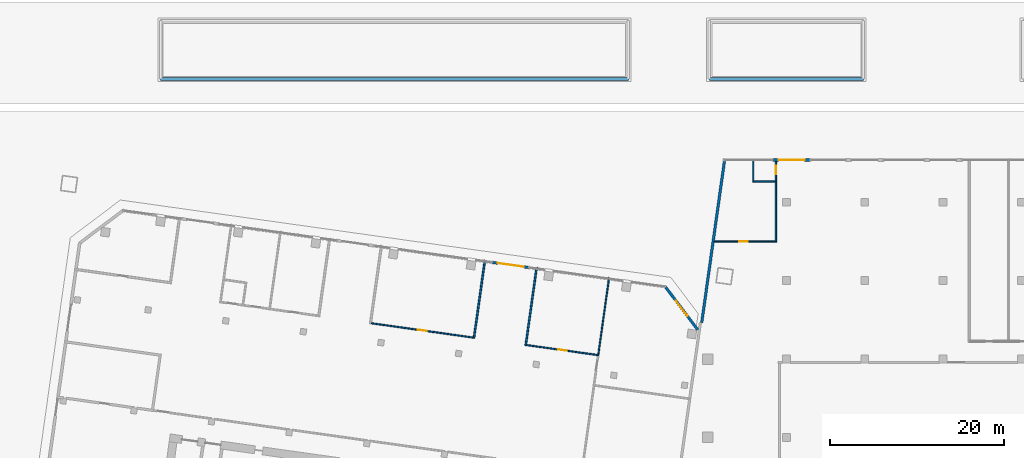
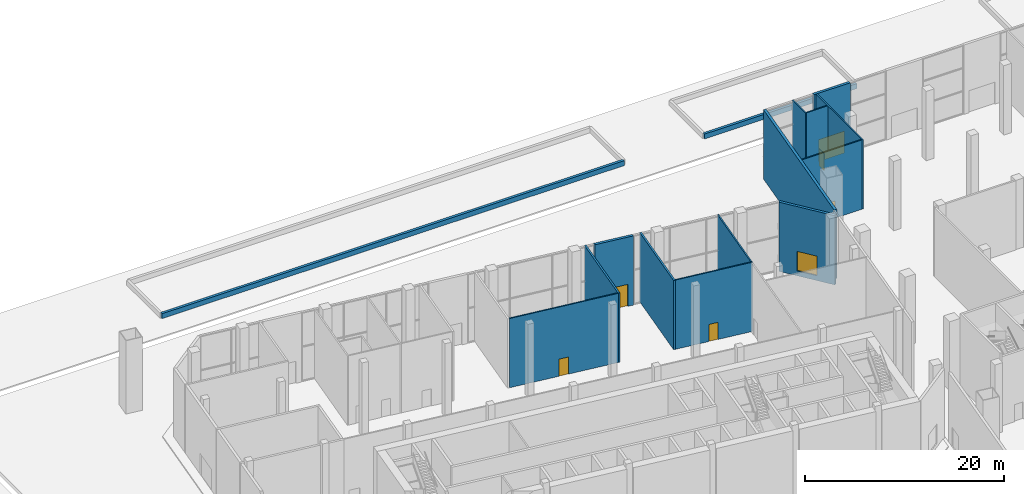
# One storey, part 22 of 34: 15 walls, 6 doors, 1 window, 7 openings.
"""IFC4 building model written with IfcOpenShell, lengths in metres."""

from ifc_helpers import new_model, si_unit, direction, frame, frame_2d, origin, place, context, subcontext, project, spatial, rectangle, extrude, material, layer, layer_set, type_object, element, fill, save


model = new_model("IFC4")

# Units and contexts
model_context = context("Model", 3, precision=1e-05, world=origin(), true_north=direction((0.0, 1.0)))
body_context = subcontext(model_context, "Body", "Model", "MODEL_VIEW")
ifc_project = project(units=[si_unit("LENGTHUNIT", "METRE"), si_unit("AREAUNIT", "SQUARE_METRE"), si_unit("VOLUMEUNIT", "CUBIC_METRE"), si_unit("PLANEANGLEUNIT", "RADIAN"), si_unit("MASSUNIT", "GRAM", prefix="KILO")], contexts=[model_context])

# Site, building, storey
site_placement = place(None, origin())
site = spatial("IfcSite", under=ifc_project, at=site_placement, CompositionType="ELEMENT")
building_placement = place(site_placement, origin())
building = spatial("IfcBuilding", under=site, at=building_placement, Name="Mirante Cascada Hotel Towers", CompositionType="ELEMENT")
storey_placement = place(building_placement, origin())
storey = spatial("IfcBuildingStorey", under=building, at=storey_placement, Name="L00", CompositionType="ELEMENT", Elevation=0.0)

# Wall, opening, door
ifc_material_1 = material(Name="Masonry block", Category="masonry")
ifc_layer_1 = layer(ifc_material_1, 0.15)
ifc_layer_set_1 = layer_set([ifc_layer_1], Name="Corridor wall 150 block")
wall_type_1 = type_object("IfcWallType", Name="Corridor wall 150 block", PredefinedType="PARTITIONING", material=ifc_layer_set_1)
wall_1_placement = place(storey_placement, frame((-65.6542, 13.1091, 0.0), z_axis=(0.0, 0.0, 1.0), x_axis=(0.9902684, -0.1391706, 0.0)))
wall_1 = element("IfcWall", 1, at=wall_1_placement, inside=storey, type_object=wall_type_1, Name="Corridor wall T1 L00", PredefinedType="PARTITIONING", context=body_context, shape_type="SweptSolid", body=[
    extrude(rectangle(XDim=11.82, YDim=0.15, at=frame_2d((5.91, 0.0))), origin(), (0.0, 0.0, 1.0), 8.5),
])
opening_1_placement = place(wall_1_placement, frame((5.41, 0.0, 0.0)))
opening_1 = element("IfcOpeningElement", 2, at=opening_1_placement, cuts=wall_1, Name="Opening DP1-L00-08", PredefinedType="OPENING", context=body_context, shape_type="SweptSolid", body=[
    extrude(rectangle(XDim=1.0, YDim=2.1, at=frame_2d((0.5, 1.05))), frame((0.0, 0.075, 0.0), z_axis=(0.0, -1.0, 0.0), x_axis=(1.0, 0.0, 0.0)), (0.0, 0.0, 1.0), 0.15),
])
ifc_material_2 = material(Name="Timber door leaf", Category="wood")
door_type_1 = type_object("IfcDoorType", Name="Single door 1000x2100", OperationType="NOTDEFINED", PredefinedType="DOOR", material=ifc_material_2)
door_1_placement = place(opening_1_placement, frame((1.0, 0.0, 0.0), z_axis=(0.0, 0.0, 1.0), x_axis=(-1.0, 0.0, 0.0)))
door_1 = element("IfcDoor", 3, at=door_1_placement, inside=storey, type_object=door_type_1, Name="Door DP1-L00-08", OperationType="SINGLE_SWING_RIGHT", OverallHeight=2.1, OverallWidth=1.0, PredefinedType="DOOR", context=body_context, shape_type="SweptSolid", body=[
    extrude(rectangle(XDim=1.0, YDim=2.1, at=frame_2d((0.5, 1.05))), frame((0.0, 0.025, 0.0), z_axis=(0.0, -1.0, 0.0), x_axis=(1.0, 0.0, 0.0)), (0.0, 0.0, 1.0), 0.05),
])
fill(opening_1, door_1)

wall_2_placement = place(storey_placement, frame((-47.8294, 10.604, 0.0), z_axis=(0.0, 0.0, 1.0), x_axis=(0.9902692, -0.1391653, 0.0)))
wall_2 = element("IfcWall", 4, at=wall_2_placement, inside=storey, type_object=wall_type_1, Name="Corridor wall T1 L00", PredefinedType="PARTITIONING", context=body_context, shape_type="SweptSolid", body=[
    extrude(rectangle(XDim=8.385, YDim=0.15, at=frame_2d((4.1925, 0.0))), origin(), (0.0, 0.0, 1.0), 8.5),
])
opening_2_placement = place(wall_2_placement, frame((3.655, 0.0, 0.0)))
opening_2 = element("IfcOpeningElement", 5, at=opening_2_placement, cuts=wall_2, Name="Opening DP1-L00-07", PredefinedType="OPENING", context=body_context, shape_type="SweptSolid", body=[
    extrude(rectangle(XDim=1.0, YDim=2.1, at=frame_2d((0.5, 1.05))), frame((0.0, 0.075, 0.0), z_axis=(0.0, -1.0, 0.0), x_axis=(1.0, 0.0, 0.0)), (0.0, 0.0, 1.0), 0.15),
])
door_2_placement = place(opening_2_placement, origin())
door_2 = element("IfcDoor", 6, at=door_2_placement, inside=storey, type_object=door_type_1, Name="Door DP1-L00-07", OperationType="SINGLE_SWING_LEFT", OverallHeight=2.1, OverallWidth=1.0, PredefinedType="DOOR", context=body_context, shape_type="SweptSolid", body=[
    extrude(rectangle(XDim=1.0, YDim=2.1, at=frame_2d((0.5, 1.05))), frame((0.0, 0.025, 0.0), z_axis=(0.0, -1.0, 0.0), x_axis=(1.0, 0.0, 0.0)), (0.0, 0.0, 1.0), 0.05),
])
fill(opening_2, door_2)

# Walls
ifc_material_3 = material(Name="Masonry block", Category="masonry")
ifc_layer_2 = layer(ifc_material_3, 0.2)
ifc_layer_set_2 = layer_set([ifc_layer_2], Name="Hall wall 200 block")
wall_type_2 = type_object("IfcWallType", Name="Hall wall 200 block", PredefinedType="PARTITIONING", material=ifc_layer_set_2)
for number, where, z_axis, x_axis, name in (
    (7, (-47.9289, 10.5423, 0.0), (0.0, 0.0, 1.0), (0.1391733, 0.990268, 0.0), "Hall wall T1 L00"),
    (8, (-53.8705, 11.3773, 0.0), (0.0, 0.0, 1.0), (0.1391733, 0.990268, 0.0), "Hall wall T1 L00"),
):
    element("IfcWall", number, at=place(storey_placement, frame(where, z_axis=z_axis, x_axis=x_axis)), inside=storey, type_object=wall_type_2, Name=name, PredefinedType="PARTITIONING", context=body_context, shape_type="SweptSolid", body=[
        extrude(rectangle(XDim=9.075, YDim=0.2, at=frame_2d((4.5375, 0.0))), origin(), (0.0, 0.0, 1.0), 8.5),
    ])
ifc_material_4 = material(Name="Masonry block", Category="masonry")
ifc_layer_3 = layer(ifc_material_4, 0.15)
ifc_layer_set_3 = layer_set([ifc_layer_3], Name="Partition 150 block")
wall_type_3 = type_object("IfcWallType", Name="Partition 150 block", PredefinedType="PARTITIONING", material=ifc_layer_set_3)
wall_3_placement = place(storey_placement, frame((-39.5912, 9.5119, 0.0), z_axis=(0.0, 0.0, 1.0), x_axis=(0.1391725, 0.9902682, 0.0)))
element("IfcWall", 9, at=wall_3_placement, inside=storey, type_object=wall_type_3, Name="Partition T1 L00", PredefinedType="PARTITIONING", context=body_context, shape_type="SweptSolid", body=[
    extrude(rectangle(XDim=8.935, YDim=0.15, at=frame_2d((4.4675, 0.0))), origin(), (0.0, 0.0, 1.0), 8.5),
])
ifc_material_5 = material(Name="Concrete C25/30", Category="concrete")
ifc_layer_4 = layer(ifc_material_5, 0.3)
ifc_layer_set_4 = layer_set([ifc_layer_4], Name="Planter kerb wall 300 concrete C25/30")
wall_type_4 = type_object("IfcWallType", Name="Planter kerb wall 300 concrete C25/30", PredefinedType="PARAPET", material=ifc_layer_set_4)
wall_4_placement = place(storey_placement, frame((-89.85, 41.15, 0.0), z_axis=(0.0, 0.0, 1.0), x_axis=(1.0, 0.0, 0.0)))
element("IfcWall", 10, at=wall_4_placement, inside=storey, type_object=wall_type_4, Name="PLANTER garden court bed 1", PredefinedType="PARAPET", context=body_context, shape_type="SweptSolid", body=[
    extrude(rectangle(XDim=53.7, YDim=0.3, at=frame_2d((26.85, 0.0))), origin(), (0.0, 0.0, 1.0), 0.6),
])
wall_5_placement = place(storey_placement, frame((-26.85, 41.15, 0.0), z_axis=(0.0, 0.0, 1.0), x_axis=(1.0, 0.0, 0.0)))
element("IfcWall", 11, at=wall_5_placement, inside=storey, type_object=wall_type_4, Name="PLANTER garden court bed 2", PredefinedType="PARAPET", context=body_context, shape_type="SweptSolid", body=[
    extrude(rectangle(XDim=17.7, YDim=0.3, at=frame_2d((8.85, 0.0))), origin(), (0.0, 0.0, 1.0), 0.6),
])

# Wall, opening, door
ifc_material_6 = material(Name="Precast concrete C40/50", Category="concrete")
ifc_layer_5 = layer(ifc_material_6, 0.3)
ifc_layer_set_5 = layer_set([ifc_layer_5], Name="Precast concrete C40/50 cladding wall 300")
wall_type_5 = type_object("IfcWallType", Name="Precast concrete C40/50 cladding wall 300", PredefinedType="STANDARD", material=ifc_layer_set_5)
wall_6_placement = place(storey_placement, frame((-51.7372, 20.0902, 0.0), z_axis=(0.0, 0.0, 1.0), x_axis=(0.9902688, -0.1391676, 0.0)))
wall_6 = element("IfcWall", 12, at=wall_6_placement, inside=storey, type_object=wall_type_5, Name="Entrance pier wall L00 T1:L00:front:6", PredefinedType="STANDARD", context=body_context, shape_type="SweptSolid", body=[
    extrude(rectangle(XDim=4.2, YDim=0.3, at=frame_2d((2.1, 0.0))), origin(), (0.0, 0.0, 1.0), 8.5),
])
opening_3_placement = place(wall_6_placement, frame((0.6, 0.0, 0.0)))
opening_3 = element("IfcOpeningElement", 13, at=opening_3_placement, cuts=wall_6, Name="Opening DP-00-93", PredefinedType="OPENING", context=body_context, shape_type="SweptSolid", body=[
    extrude(rectangle(XDim=3.0, YDim=2.7, at=frame_2d((1.5, 1.35))), frame((0.0, 0.15, 0.0), z_axis=(0.0, -1.0, 0.0), x_axis=(1.0, 0.0, 0.0)), (0.0, 0.0, 1.0), 0.3),
])
ifc_material_7 = material(Name="Aluminium frame with clear laminated glazing", Category="aluminium")
door_type_2 = type_object("IfcDoorType", Name="Exit double door 3000x2700", OperationType="DOUBLE_DOOR_SINGLE_SWING", PredefinedType="DOOR", material=ifc_material_7)
door_3_placement = place(opening_3_placement, origin())
door_3 = element("IfcDoor", 14, at=door_3_placement, inside=storey, type_object=door_type_2, Name="Exit door DP-00-93", OperationType="DOUBLE_DOOR_SINGLE_SWING", OverallHeight=2.7, OverallWidth=3.0, PredefinedType="DOOR", context=body_context, shape_type="SweptSolid", body=[
    extrude(rectangle(XDim=1.495, YDim=2.7, at=frame_2d((0.7475, 1.35))), frame((0.0, 0.025, 0.0), z_axis=(0.0, -1.0, 0.0), x_axis=(1.0, 0.0, 0.0)), (0.0, 0.0, 1.0), 0.05),
    extrude(rectangle(XDim=1.495, YDim=2.7, at=frame_2d((2.2525, 1.35))), frame((0.0, 0.025, 0.0), z_axis=(0.0, -1.0, 0.0), x_axis=(1.0, 0.0, 0.0)), (0.0, 0.0, 1.0), 0.05),
])
fill(opening_3, door_3)

# Wall, opening, window
wall_7_placement = place(storey_placement, frame((-31.857, 17.252, 0.0), z_axis=(0.0, 0.0, 1.0), x_axis=(0.6018141, -0.7986362, 0.0)))
wall_7 = element("IfcWall", 15, at=wall_7_placement, inside=storey, type_object=wall_type_5, Name="Corner cladding wall T1 L00 front inner", PredefinedType="STANDARD", context=body_context, shape_type="SweptSolid", body=[
    extrude(rectangle(XDim=6.1157, YDim=0.3, at=frame_2d((3.0578, 0.0))), origin(), (0.0, 0.0, 1.0), 8.5),
])
opening_4_placement = place(wall_7_placement, frame((1.9578, 0.0, 0.6)))
opening_4 = element("IfcOpeningElement", 16, at=opening_4_placement, cuts=wall_7, Name="Opening W1-00-04", PredefinedType="OPENING", context=body_context, shape_type="SweptSolid", body=[
    extrude(rectangle(XDim=2.2, YDim=2.4, at=frame_2d((1.1, 1.2))), frame((0.0, 0.15, 0.0), z_axis=(0.0, -1.0, 0.0), x_axis=(1.0, 0.0, 0.0)), (0.0, 0.0, 1.0), 0.3),
])
ifc_material_8 = material(Name="Aluminium frame with clear double glazing", Category="aluminium")
window_type = type_object("IfcWindowType", Name="Corner suite window 2200x2400", PartitioningType="DOUBLE_PANEL_VERTICAL", PredefinedType="WINDOW", material=ifc_material_8)
window_placement = place(opening_4_placement, origin())
window = element("IfcWindow", 17, at=window_placement, inside=storey, type_object=window_type, Name="Window W1-00-04", OverallHeight=2.4, OverallWidth=2.2, PartitioningType="SINGLE_PANEL", PredefinedType="WINDOW", context=body_context, shape_type="SweptSolid", body=[
    extrude(rectangle(XDim=2.2, YDim=2.4, at=frame_2d((1.1, 1.2))), frame((0.0, 0.03, 0.0), z_axis=(0.0, -1.0, 0.0), x_axis=(1.0, 0.0, 0.0)), (0.0, 0.0, 1.0), 0.06),
])
fill(opening_4, window)

# Wall, opening, door
wall_8_placement = place(storey_placement, frame((-15.3, 31.85, 0.0), z_axis=(0.0, 0.0, 1.0), x_axis=(-1.0, 0.0, 0.0)))
wall_8 = element("IfcWall", 18, at=wall_8_placement, inside=storey, type_object=wall_type_5, Name="Entrance pier wall L00 P:L00:4:8", PredefinedType="STANDARD", context=body_context, shape_type="SweptSolid", body=[
    extrude(rectangle(XDim=4.2, YDim=0.3, at=frame_2d((2.1, 0.0))), origin(), (0.0, 0.0, 1.0), 8.5),
])
opening_5_placement = place(wall_8_placement, frame((0.6, 0.0, 0.0)))
opening_5 = element("IfcOpeningElement", 19, at=opening_5_placement, cuts=wall_8, Name="Opening DP-00-102", PredefinedType="OPENING", context=body_context, shape_type="SweptSolid", body=[
    extrude(rectangle(XDim=3.0, YDim=2.7, at=frame_2d((1.5, 1.35))), frame((0.0, 0.15, 0.0), z_axis=(0.0, -1.0, 0.0), x_axis=(1.0, 0.0, 0.0)), (0.0, 0.0, 1.0), 0.3),
])
door_4_placement = place(opening_5_placement, frame((3.0, 0.0, 0.0), z_axis=(0.0, 0.0, 1.0), x_axis=(-1.0, 0.0, 0.0)))
door_4 = element("IfcDoor", 20, at=door_4_placement, inside=storey, type_object=door_type_2, Name="Exit door DP-00-102", OperationType="DOUBLE_DOOR_SINGLE_SWING", OverallHeight=2.7, OverallWidth=3.0, PredefinedType="DOOR", context=body_context, shape_type="SweptSolid", body=[
    extrude(rectangle(XDim=1.495, YDim=2.7, at=frame_2d((0.7475, 1.35))), frame((0.0, 0.025, 0.0), z_axis=(0.0, -1.0, 0.0), x_axis=(1.0, 0.0, 0.0)), (0.0, 0.0, 1.0), 0.05),
    extrude(rectangle(XDim=1.495, YDim=2.7, at=frame_2d((2.2525, 1.35))), frame((0.0, 0.025, 0.0), z_axis=(0.0, -1.0, 0.0), x_axis=(1.0, 0.0, 0.0)), (0.0, 0.0, 1.0), 0.05),
])
fill(opening_5, door_4)

# Wall
wall_9_placement = place(storey_placement, frame((-25.0731, 31.9791, 0.0), z_axis=(0.0, 0.0, 1.0), x_axis=(-0.1391741, -0.9902679, 0.0)))
element("IfcWall", 21, at=wall_9_placement, inside=storey, type_object=wall_type_5, Name="Podium cladding wall L00 P:L00:5", PredefinedType="STANDARD", context=body_context, shape_type="SweptSolid", body=[
    extrude(rectangle(XDim=18.9856, YDim=0.3, at=frame_2d((9.4928, 0.0))), origin(), (0.0, 0.0, 1.0), 8.5),
])

# Wall, opening, door
ifc_material_9 = material(Name="Masonry block", Category="masonry")
ifc_layer_6 = layer(ifc_material_9, 0.15)
ifc_layer_set_6 = layer_set([ifc_layer_6], Name="Wet room wall 150 block")
wall_type_6 = type_object("IfcWallType", Name="Wet room wall 150 block", PredefinedType="PARTITIONING", material=ifc_layer_set_6)
wall_10_placement = place(storey_placement, frame((-26.2538, 22.5, 0.0), z_axis=(0.0, 0.0, 1.0), x_axis=(1.0, 0.0, 0.0)))
wall_10 = element("IfcWall", 22, at=wall_10_placement, inside=storey, type_object=wall_type_6, Name="Wet room wall P L00", PredefinedType="PARTITIONING", context=body_context, shape_type="SweptSolid", body=[
    extrude(rectangle(XDim=6.9788, YDim=0.15, at=frame_2d((3.4894, 0.0))), origin(), (0.0, 0.0, 1.0), 8.5),
])
opening_6_placement = place(wall_10_placement, frame((2.838, 0.0, 0.0)))
opening_6 = element("IfcOpeningElement", 23, at=opening_6_placement, cuts=wall_10, Name="Opening DP-L00-16", PredefinedType="OPENING", context=body_context, shape_type="SweptSolid", body=[
    extrude(rectangle(XDim=1.0, YDim=2.1, at=frame_2d((0.5, 1.05))), frame((0.0, 0.075, 0.0), z_axis=(0.0, -1.0, 0.0), x_axis=(1.0, 0.0, 0.0)), (0.0, 0.0, 1.0), 0.15),
])
door_5_placement = place(opening_6_placement, origin())
door_5 = element("IfcDoor", 24, at=door_5_placement, inside=storey, type_object=door_type_1, Name="Door DP-L00-16", OperationType="SINGLE_SWING_RIGHT", OverallHeight=2.1, OverallWidth=1.0, PredefinedType="DOOR", context=body_context, shape_type="SweptSolid", body=[
    extrude(rectangle(XDim=1.0, YDim=2.1, at=frame_2d((0.5, 1.05))), frame((0.0, 0.025, 0.0), z_axis=(0.0, -1.0, 0.0), x_axis=(1.0, 0.0, 0.0)), (0.0, 0.0, 1.0), 0.05),
])
fill(opening_6, door_5)

# Wall
wall_11_placement = place(storey_placement, frame((-21.725, 29.4, 0.0), z_axis=(0.0, 0.0, 1.0), x_axis=(1.0, 0.0, 0.0)))
element("IfcWall", 25, at=wall_11_placement, inside=storey, type_object=wall_type_6, Name="Wet room wall P L00", PredefinedType="PARTITIONING", context=body_context, shape_type="SweptSolid", body=[
    extrude(rectangle(XDim=2.45, YDim=0.15, at=frame_2d((1.225, 0.0))), origin(), (0.0, 0.0, 1.0), 8.5),
])

# Wall, opening, door
wall_12_placement = place(storey_placement, frame((-19.2, 22.425, 0.0), z_axis=(0.0, 0.0, 1.0), x_axis=(0.0, 1.0, 0.0)))
wall_12 = element("IfcWall", 26, at=wall_12_placement, inside=storey, type_object=wall_type_6, Name="Wet room wall P L00", PredefinedType="PARTITIONING", context=body_context, shape_type="SweptSolid", body=[
    extrude(rectangle(XDim=9.575, YDim=0.15, at=frame_2d((4.7875, 0.0))), origin(), (0.0, 0.0, 1.0), 8.5),
])
opening_7_placement = place(wall_12_placement, frame((7.775, 0.0, 0.0)))
opening_7 = element("IfcOpeningElement", 27, at=opening_7_placement, cuts=wall_12, Name="Opening DP-L00-20", PredefinedType="OPENING", context=body_context, shape_type="SweptSolid", body=[
    extrude(rectangle(XDim=1.0, YDim=2.1, at=frame_2d((0.5, 1.05))), frame((0.0, 0.075, 0.0), z_axis=(0.0, -1.0, 0.0), x_axis=(1.0, 0.0, 0.0)), (0.0, 0.0, 1.0), 0.15),
])
door_6_placement = place(opening_7_placement, origin())
door_6 = element("IfcDoor", 28, at=door_6_placement, inside=storey, type_object=door_type_1, Name="Door DP-L00-20", OperationType="SINGLE_SWING_RIGHT", OverallHeight=2.1, OverallWidth=1.0, PredefinedType="DOOR", context=body_context, shape_type="SweptSolid", body=[
    extrude(rectangle(XDim=1.0, YDim=2.1, at=frame_2d((0.5, 1.05))), frame((0.0, 0.025, 0.0), z_axis=(0.0, -1.0, 0.0), x_axis=(1.0, 0.0, 0.0)), (0.0, 0.0, 1.0), 0.05),
])
fill(opening_7, door_6)

# Wall
wall_13_placement = place(storey_placement, frame((-21.8, 29.325, 0.0), z_axis=(0.0, 0.0, 1.0), x_axis=(0.0, 1.0, 0.0)))
element("IfcWall", 29, at=wall_13_placement, inside=storey, type_object=wall_type_6, Name="Wet room wall P L00", PredefinedType="PARTITIONING", context=body_context, shape_type="SweptSolid", body=[
    extrude(rectangle(XDim=2.675, YDim=0.15, at=frame_2d((1.3375, 0.0))), origin(), (0.0, 0.0, 1.0), 8.5),
])

save(model, "model.ifc")
